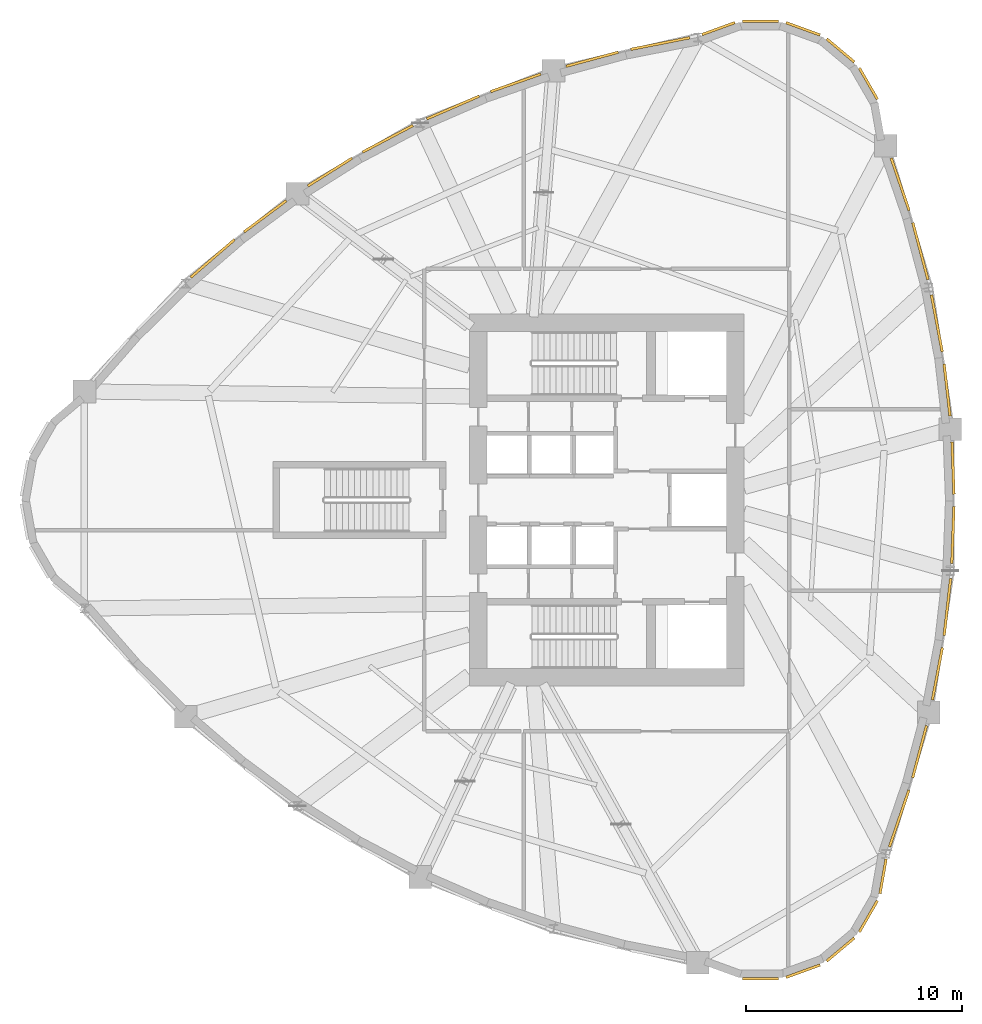
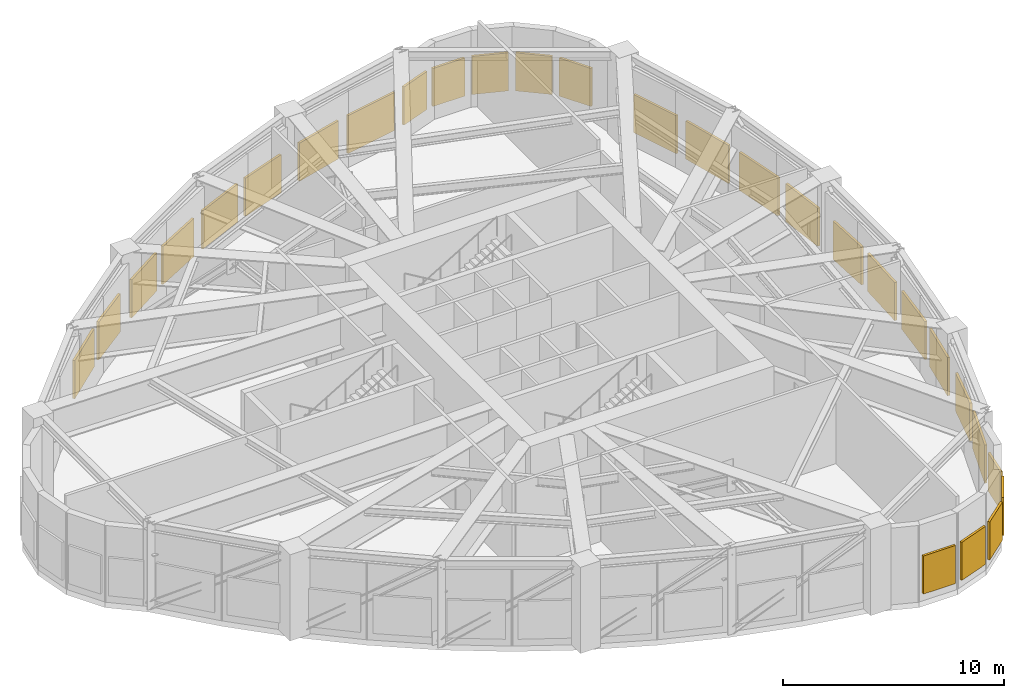
# One storey, part 9 of 9: 28 shading devices.
"""IFC4 building model written with IfcOpenShell, lengths in metres."""

import ifcopenshell
import ifcopenshell.guid

model = None  # the IFC model being written
_history = None  # IfcOwnerHistory: only IFC2X3 demands one
_inside = {}  # id of a spatial element -> (the spatial element, [elements in it])
_under = {}  # id of a project, library or spatial element -> (it, [spatial elements below it])
_declared = {}  # id of a project -> (the project, [libraries it declares])
_typed = {}  # id of a type object -> (the type object, [elements of that type])
_made_of = {}  # id of a material, layer set ... -> (it, [elements and type objects made of it])


def new_model(schema):
    """Start an empty IFC model of exactly this schema.

    Asked for "IFC4X3", IfcOpenShell would pick the latest addendum, in which some entities
    have other attributes; the version numbers below select the first issue.
    IFC2X3 requires an IfcOwnerHistory on every rooted entity: one is made here for all.
    """
    global model, _history
    if schema == "IFC4X3":
        model = ifcopenshell.file(schema_version=(4, 3, 0, 0))
    else:
        model = ifcopenshell.file(schema=schema)
    _inside.clear()
    _under.clear()
    _declared.clear()
    _typed.clear()
    _made_of.clear()
    _history = None
    if model.schema == "IFC2X3":
        org = make("IfcOrganization", Name="unknown")
        user = make(
            "IfcPersonAndOrganization",
            ThePerson=make("IfcPerson", FamilyName="unknown"),
            TheOrganization=org,
        )
        app = make(
            "IfcApplication",
            ApplicationDeveloper=org,
            Version="unknown",
            ApplicationFullName="unknown",
            ApplicationIdentifier="unknown",
        )
        _history = make(
            "IfcOwnerHistory",
            OwningUser=user,
            OwningApplication=app,
            ChangeAction="ADDED",
            CreationDate=0,
        )
    return model


def make(cls, **values):
    """One entity of the class cls with the attributes given. An attribute that is None is left unset."""
    return model.create_entity(
        cls, **{name: value for name, value in values.items() if value is not None}
    )


def rooted(cls, **values):
    """An entity with a GlobalId (a new one), such as an element, a storey or a relation."""
    return make(cls, GlobalId=ifcopenshell.guid.new(), OwnerHistory=_history, **values)


def si_unit(unit_type, name, prefix=None):
    """IfcSIUnit, for example si_unit("LENGTHUNIT", "METRE", prefix="MILLI")."""
    return make("IfcSIUnit", UnitType=unit_type, Prefix=prefix, Name=name)


def assignment(units):
    """IfcUnitAssignment: the units of a project."""
    return None if units is None else make("IfcUnitAssignment", Units=units)


def point(xyz):
    """IfcCartesianPoint."""
    return None if xyz is None else make("IfcCartesianPoint", Coordinates=xyz)


def direction(xyz):
    """IfcDirection."""
    return None if xyz is None else make("IfcDirection", DirectionRatios=xyz)


def frame(location, z_axis=None, x_axis=None):
    """IfcAxis2Placement3D, a coordinate frame: its origin and axes. An axis left out is left unset."""
    return make(
        "IfcAxis2Placement3D",
        Location=point(location),
        Axis=direction(z_axis),
        RefDirection=direction(x_axis),
    )


def frame_2d(location, x_axis=None):
    """IfcAxis2Placement2D, a coordinate frame in the plane: its origin and x axis."""
    return make(
        "IfcAxis2Placement2D", Location=point(location), RefDirection=direction(x_axis)
    )


def origin():
    """The frame at (0, 0, 0) with its axes left unset."""
    return frame((0.0, 0.0, 0.0))


def origin_2d():
    """The frame at (0, 0) in the plane with its x axis left unset."""
    return frame_2d((0.0, 0.0))


def place(relative_to, where):
    """IfcLocalPlacement: puts the frame where relative to a parent placement (None: the world)."""
    return make(
        "IfcLocalPlacement", PlacementRelTo=relative_to, RelativePlacement=where
    )


def context(
    kind, dimensions, precision=None, world=None, true_north=None, identifier=None
):
    """IfcGeometricRepresentationContext, for example the 3D "Model" context."""
    return make(
        "IfcGeometricRepresentationContext",
        ContextIdentifier=identifier,
        ContextType=kind,
        CoordinateSpaceDimension=dimensions,
        Precision=precision,
        WorldCoordinateSystem=world,
        TrueNorth=true_north,
    )


def subcontext(parent, identifier, kind, view, scale=None):
    """IfcGeometricRepresentationSubContext, for example "Body" below "Model"."""
    return make(
        "IfcGeometricRepresentationSubContext",
        ContextIdentifier=identifier,
        ContextType=kind,
        ParentContext=parent,
        TargetScale=scale,
        TargetView=view,
    )


def project(units=None, contexts=None):
    """IfcProject with its units and contexts."""
    return rooted(
        "IfcProject",
        Name="project",
        RepresentationContexts=contexts,
        UnitsInContext=assignment(units),
    )


def spatial(cls, under=None, at=None, **own):
    """A site, building, storey or space (cls), placed at a placement, below another one or the project."""
    s = rooted(cls, ObjectPlacement=at, **own)
    if under is not None:
        _under.setdefault(under.id(), (under, []))[1].append(s)
    return s


def profile(cls, at=None, kind="AREA", **sizes):
    """A parametric profile (cls). Its sizes go by their IFC names, for example OverallWidth=200.0."""
    return make(cls, ProfileType=kind, Position=at, **sizes)


def rectangle(**sizes):
    """IfcRectangleProfileDef."""
    return profile("IfcRectangleProfileDef", **sizes)


def extrude(swept, where, along, depth):
    """IfcExtrudedAreaSolid: the profile swept, set in the frame where, extruded along a direction by depth."""
    return make(
        "IfcExtrudedAreaSolid",
        SweptArea=swept,
        Position=where,
        ExtrudedDirection=direction(along),
        Depth=depth,
    )


def shape(context_of_items, identifier, shape_type, items):
    """IfcShapeRepresentation: the items that make up one representation, for example the "Body"."""
    return make(
        "IfcShapeRepresentation",
        ContextOfItems=context_of_items,
        RepresentationIdentifier=identifier,
        RepresentationType=shape_type,
        Items=items,
    )


def source(mapping_origin, context_of_items, identifier, shape_type, items):
    """IfcRepresentationMap: a shape defined once, which mapped items show again and again."""
    return make(
        "IfcRepresentationMap",
        MappingOrigin=mapping_origin,
        MappedRepresentation=shape(context_of_items, identifier, shape_type, items),
    )


def transform(
    local_origin,
    x_axis=None,
    y_axis=None,
    z_axis=None,
    scale=None,
    scale2=None,
    scale3=None,
    uniform=True,
):
    """IfcCartesianTransformationOperator3D, or its non-uniform kind. x_axis, y_axis, z_axis: its Axis1, 2, 3."""
    if uniform:
        return make(
            "IfcCartesianTransformationOperator3D",
            Axis1=direction(x_axis),
            Axis2=direction(y_axis),
            LocalOrigin=point(local_origin),
            Scale=scale,
            Axis3=direction(z_axis),
        )
    return make(
        "IfcCartesianTransformationOperator3DnonUniform",
        Axis1=direction(x_axis),
        Axis2=direction(y_axis),
        LocalOrigin=point(local_origin),
        Scale=scale,
        Axis3=direction(z_axis),
        Scale2=scale2,
        Scale3=scale3,
    )


def mapped(mapping_source, mapping_target):
    """IfcMappedItem: shows the shape of a source again, moved by a transform."""
    return make(
        "IfcMappedItem", MappingSource=mapping_source, MappingTarget=mapping_target
    )


def material(Name=None, Category=None):
    """IfcMaterial."""
    return make("IfcMaterial", Name=Name, Category=Category)


def layer(
    of_material, thickness, ventilated=None, Name=None, Category=None, Priority=None
):
    """IfcMaterialLayer: one layer of a wall or slab, of a material (None: an air gap)."""
    return make(
        "IfcMaterialLayer",
        Material=of_material,
        LayerThickness=thickness,
        IsVentilated=ventilated,
        Name=Name,
        Category=Category,
        Priority=Priority,
    )


def layer_set(layers, Name=None):
    """IfcMaterialLayerSet."""
    return make("IfcMaterialLayerSet", MaterialLayers=layers, LayerSetName=Name)


def made_of(thing, what):
    """Note that an element or type object is made of a material, layer set ...; save() writes the relation."""
    if what is not None:
        _made_of.setdefault(what.id(), (what, []))[1].append(thing)
    return thing


def type_object(cls, material=None, **own):
    """A type object (cls), such as IfcWallType, which elements share."""
    return made_of(rooted(cls, **own), material)


def element(
    cls,
    number,
    at=None,
    inside=None,
    cuts=None,
    type_object=None,
    material=None,
    context=None,
    identifier="Body",
    shape_type=None,
    held_by="IfcProductDefinitionShape",
    body=None,
    shapes=None,
    **own,
):
    """One element of the class cls, such as IfcWall. Its Tag is "e" and its number.

    at: its placement. inside: the storey or other place that contains it. cuts: it is an
    opening in that element (IfcRelVoidsElement). A single representation is given by context,
    identifier, shape_type and body (its items); several are given by shapes. held_by: the class
    of the entity that holds the representations. save() writes the other relations.
    """
    e = rooted(cls, Tag="e%d" % number, ObjectPlacement=at, **own)
    if body is not None:
        shapes = [shape(context, identifier, shape_type, body)]
    if shapes is not None:
        e.Representation = make(held_by, Representations=shapes)
    if inside is not None:
        _inside.setdefault(inside.id(), (inside, []))[1].append(e)
    if cuts is not None:
        rooted(
            "IfcRelVoidsElement", RelatingBuildingElement=cuts, RelatedOpeningElement=e
        )
    if type_object is not None:
        _typed.setdefault(type_object.id(), (type_object, []))[1].append(e)
    return made_of(e, material)


def aggregate(whole, parts):
    """IfcRelAggregates: a whole, such as a stair, and the parts it consists of."""
    return rooted("IfcRelAggregates", RelatingObject=whole, RelatedObjects=parts)


def save(model, path):
    """Write the relations noted so far, then the file.

    IfcRelAggregates (storeys below a building ...), IfcRelContainedInSpatialStructure (elements
    in a storey), IfcRelDefinesByType, IfcRelAssociatesMaterial and IfcRelDeclares: one each for
    every whole, place, type object, material and project.
    """
    for whole, parts in _under.values():
        aggregate(whole, parts)
    for where, things in _inside.values():
        rooted(
            "IfcRelContainedInSpatialStructure",
            RelatedElements=things,
            RelatingStructure=where,
        )
    for kind, things in _typed.values():
        rooted("IfcRelDefinesByType", RelatedObjects=things, RelatingType=kind)
    for what, things in _made_of.values():
        rooted("IfcRelAssociatesMaterial", RelatedObjects=things, RelatingMaterial=what)
    for by, libraries in _declared.values():
        rooted("IfcRelDeclares", RelatingContext=by, RelatedDefinitions=libraries)
    model.write(path)


model = new_model("IFC4")

# Units and contexts
model_context = context("Model", 3, precision=1e-05, world=origin(), true_north=direction((0.0, 1.0)))
body_context = subcontext(model_context, "Body", "Model", "MODEL_VIEW")
ifc_project = project(units=[si_unit("LENGTHUNIT", "METRE"), si_unit("AREAUNIT", "SQUARE_METRE"), si_unit("VOLUMEUNIT", "CUBIC_METRE"), si_unit("PLANEANGLEUNIT", "RADIAN"), si_unit("MASSUNIT", "GRAM", prefix="KILO")], contexts=[model_context])

# Site, building, storey
site_placement = place(None, origin())
site = spatial("IfcSite", under=ifc_project, at=site_placement, CompositionType="ELEMENT")
building_placement = place(site_placement, origin())
building = spatial("IfcBuilding", under=site, at=building_placement, Name="Qafzar Sky-Pleat Residences", CompositionType="ELEMENT")
storey_placement = place(building_placement, frame((0.0, 0.0, 65.39990234375)))
storey = spatial("IfcBuildingStorey", under=building, at=storey_placement, Name="L19", CompositionType="ELEMENT", Elevation=65.39990234375)

# Shading devices
ifc_material = material(Name="Anodised bronze aluminium acoustic louvre", Category="aluminium")
ifc_layer = layer(ifc_material, 0.1201171875)
ifc_layer_set = layer_set([ifc_layer], Name="Anodised bronze aluminium acoustic louvre")
shading_device_type = type_object("IfcShadingDeviceType", Name="SHD-LOUVRE-PLANT", PredefinedType="JALOUSIE", material=ifc_layer_set)
shared_shape_1 = source(origin(), body_context, "Body", "SweptSolid", [
    extrude(rectangle(XDim=1.67236328125, YDim=0.1201171875, at=origin_2d()), origin(), (0.0, 0.0, 1.0), 2.10009765625),
])
for number, where, z_axis, x_axis, name in (
    (1, (37.46240234375, 3.843505859375, 0.449951171875), (0.0, 0.0, 1.0), (1.0, 0.0, 0.0), "L19 Plant Acoustic Louvre 18"),
    (2, (41.16943359375, 5.19287109375, 0.449951171875), (0.0, 0.0, 1.0), (0.76603272153, 0.642801578674, 0.0), "L19 Plant Acoustic Louvre 20"),
    (3, (42.456787109375, 6.72705078125, 0.449951171875), (0.0, 0.0, 1.0), (0.499972303345, 0.866041393865, 0.0), "L19 Plant Acoustic Louvre 21"),
    (4, (42.456787109375, 45.27294921875, 0.449951171875), (0.0, 0.0, 1.0), (-0.499972303345, 0.866041393865, 0.0), "L19 Plant Acoustic Louvre 34"),
    (5, (41.16943359375, 46.80712890625, 0.449951171875), (0.0, 0.0, 1.0), (-0.76603272153, 0.642801578674, 0.0), "L19 Plant Acoustic Louvre 35"),
    (6, (37.46240234375, 48.156494140625, 0.449951171875), (0.0, 0.0, 1.0), (-1.0, 0.0, 0.0), "L19 Plant Acoustic Louvre 37"),
):
    element("IfcShadingDevice", number, at=place(storey_placement, frame(where, z_axis=z_axis, x_axis=x_axis)), inside=storey, type_object=shading_device_type, Name=name, PredefinedType="JALOUSIE", context=body_context, shape_type="MappedRepresentation", body=[
        mapped(shared_shape_1, transform((0.0, 0.0, 0.0), x_axis=(1.0, 0.0, 0.0), y_axis=(0.0, 1.0, 0.0), z_axis=(0.0, 0.0, 1.0), scale=1.0)),
    ])
shared_shape_2 = source(origin(), body_context, "Body", "SweptSolid", [
    extrude(rectangle(XDim=1.672119140625, YDim=0.1201171875, at=origin_2d()), origin(), (0.0, 0.0, 1.0), 2.10009765625),
])
for number, where, z_axis, x_axis, name in (
    (7, (39.434814453125, 4.19140625, 0.449951171875), (0.0, 0.0, 1.0), (0.939715179222, 0.34195815817, 0.0), "L19 Plant Acoustic Louvre 19"),
    (8, (39.434814453125, 47.80859375, 0.449951171875), (0.0, 0.0, 1.0), (-0.939715179222, 0.34195815817, 0.0), "L19 Plant Acoustic Louvre 36"),
):
    element("IfcShadingDevice", number, at=place(storey_placement, frame(where, z_axis=z_axis, x_axis=x_axis)), inside=storey, type_object=shading_device_type, Name=name, PredefinedType="JALOUSIE", context=body_context, shape_type="MappedRepresentation", body=[
        mapped(shared_shape_2, transform((0.0, 0.0, 0.0), x_axis=(1.0, 0.0, 0.0), y_axis=(0.0, 1.0, 0.0), z_axis=(0.0, 0.0, 1.0), scale=1.0)),
    ])
shared_shape_3 = source(origin(), body_context, "Body", "SweptSolid", [
    extrude(rectangle(XDim=1.625732421875, YDim=0.1201171875, at=origin_2d()), origin(), (0.0, 0.0, 1.0), 2.10009765625),
])
for number, where, z_axis, x_axis, name in (
    (9, (43.13671875, 8.58056640625, 0.449951171875), (0.0, 0.0, 1.0), (0.17364778674, 0.984807821943, 0.0), "L19 Plant Acoustic Louvre 22"),
    (10, (35.517333984375, 47.818603515625, 0.449951171875), (0.0, 0.0, 1.0), (-0.939710070919, -0.341972195674, 0.0), "L19 Plant Acoustic Louvre 38"),
):
    element("IfcShadingDevice", number, at=place(storey_placement, frame(where, z_axis=z_axis, x_axis=x_axis)), inside=storey, type_object=shading_device_type, Name=name, PredefinedType="JALOUSIE", context=body_context, shape_type="MappedRepresentation", body=[
        mapped(shared_shape_3, transform((0.0, 0.0, 0.0), x_axis=(1.0, 0.0, 0.0), y_axis=(0.0, 1.0, 0.0), z_axis=(0.0, 0.0, 1.0), scale=1.0)),
    ])
shared_shape_4 = source(origin(), body_context, "Body", "SweptSolid", [
    extrude(rectangle(XDim=2.785888671875, YDim=0.1201171875, at=origin_2d()), origin(), (0.0, 0.0, 1.0), 2.10009765625),
])
for number, where, z_axis, x_axis, name in (
    (11, (43.884521484375, 11.259033203125, 0.449951171875), (0.0, 0.0, 1.0), (0.323584167423, 0.946199390506, 0.0), "L19 Plant Acoustic Louvre 23"),
    (12, (32.82373046875, 47.126708984375, 0.449951171875), (0.0, 0.0, 1.0), (-0.981231261783, -0.192834672453, 0.0), "L19 Plant Acoustic Louvre 39"),
):
    element("IfcShadingDevice", number, at=place(storey_placement, frame(where, z_axis=z_axis, x_axis=x_axis)), inside=storey, type_object=shading_device_type, Name=name, PredefinedType="JALOUSIE", context=body_context, shape_type="MappedRepresentation", body=[
        mapped(shared_shape_4, transform((0.0, 0.0, 0.0), x_axis=(1.0, 0.0, 0.0), y_axis=(0.0, 1.0, 0.0), z_axis=(0.0, 0.0, 1.0), scale=1.0)),
    ])
shared_shape_5 = source(origin(), body_context, "Body", "SweptSolid", [
    extrude(rectangle(XDim=2.50390625, YDim=0.1201171875, at=origin_2d()), origin(), (0.0, 0.0, 1.0), 2.10009765625),
])
for number, where, z_axis, x_axis, name in (
    (13, (44.8291015625, 14.349853515625, 0.449951171875), (0.0, 0.0, 1.0), (0.257099840071, 0.966384846857, 0.0), "L19 Plant Acoustic Louvre 24"),
    (14, (29.6748046875, 46.399658203125, 0.449951171875), (0.0, 0.0, 1.0), (-0.965452073914, -0.260580684195, 0.0), "L19 Plant Acoustic Louvre 40"),
):
    element("IfcShadingDevice", number, at=place(storey_placement, frame(where, z_axis=z_axis, x_axis=x_axis)), inside=storey, type_object=shading_device_type, Name=name, PredefinedType="JALOUSIE", context=body_context, shape_type="MappedRepresentation", body=[
        mapped(shared_shape_5, transform((0.0, 0.0, 0.0), x_axis=(1.0, 0.0, 0.0), y_axis=(0.0, 1.0, 0.0), z_axis=(0.0, 0.0, 1.0), scale=1.0)),
    ])
shared_shape_6 = source(origin(), body_context, "Body", "SweptSolid", [
    extrude(rectangle(XDim=2.459716796875, YDim=0.1201171875, at=origin_2d()), origin(), (0.0, 0.0, 1.0), 2.10009765625),
])
for number, where, z_axis, x_axis, name in (
    (15, (45.652587890625, 17.9609375, 0.449951171875), (0.0, 0.0, 1.0), (0.186662215428, 0.982424153475, 0.0), "L19 Plant Acoustic Louvre 25"),
    (16, (26.1357421875, 45.306884765625, 0.449951171875), (0.0, 0.0, 1.0), (-0.94413641314, -0.329554901925, 0.0), "L19 Plant Acoustic Louvre 41"),
):
    element("IfcShadingDevice", number, at=place(storey_placement, frame(where, z_axis=z_axis, x_axis=x_axis)), inside=storey, type_object=shading_device_type, Name=name, PredefinedType="JALOUSIE", context=body_context, shape_type="MappedRepresentation", body=[
        mapped(shared_shape_6, transform((0.0, 0.0, 0.0), x_axis=(1.0, 0.0, 0.0), y_axis=(0.0, 1.0, 0.0), z_axis=(0.0, 0.0, 1.0), scale=1.0)),
    ])
shared_shape_7 = source(origin(), body_context, "Body", "SweptSolid", [
    extrude(rectangle(XDim=2.65380859375, YDim=0.1201171875, at=origin_2d()), origin(), (0.0, 0.0, 1.0), 2.10009765625),
])
for number, where, z_axis, x_axis, name in (
    (17, (46.116455078125, 21.048095703125, 0.449951171875), (0.0, 0.0, 1.0), (0.113289821486, 0.99356198415, 0.0), "L19 Plant Acoustic Louvre 26"),
    (18, (23.230224609375, 44.165283203125, 0.449951171875), (0.0, 0.0, 1.0), (-0.917086830124, -0.398687529292, 0.0), "L19 Plant Acoustic Louvre 42"),
):
    element("IfcShadingDevice", number, at=place(storey_placement, frame(where, z_axis=z_axis, x_axis=x_axis)), inside=storey, type_object=shading_device_type, Name=name, PredefinedType="JALOUSIE", context=body_context, shape_type="MappedRepresentation", body=[
        mapped(shared_shape_7, transform((0.0, 0.0, 0.0), x_axis=(1.0, 0.0, 0.0), y_axis=(0.0, 1.0, 0.0), z_axis=(0.0, 0.0, 1.0), scale=1.0)),
    ])
shared_shape_8 = source(origin(), body_context, "Body", "SweptSolid", [
    extrude(rectangle(XDim=2.638671875, YDim=0.1201171875, at=origin_2d()), origin(), (0.0, 0.0, 1.0), 2.10009765625),
])
for number, where, z_axis, x_axis, name in (
    (19, (46.370361328125, 24.387939453125, 0.449951171875), (0.0, 0.0, 1.0), (0.037959212057, 0.999279289398, 0.0), "L19 Plant Acoustic Louvre 27"),
    (20, (20.2109375, 42.715087890625, 0.449951171875), (0.0, 0.0, 1.0), (-0.884388229284, -0.466752032566, 0.0), "L19 Plant Acoustic Louvre 43"),
):
    element("IfcShadingDevice", number, at=place(storey_placement, frame(where, z_axis=z_axis, x_axis=x_axis)), inside=storey, type_object=shading_device_type, Name=name, PredefinedType="JALOUSIE", context=body_context, shape_type="MappedRepresentation", body=[
        mapped(shared_shape_8, transform((0.0, 0.0, 0.0), x_axis=(1.0, 0.0, 0.0), y_axis=(0.0, 1.0, 0.0), z_axis=(0.0, 0.0, 1.0), scale=1.0)),
    ])
shared_shape_9 = source(origin(), body_context, "Body", "SweptSolid", [
    extrude(rectangle(XDim=2.4296875, YDim=0.1201171875, at=origin_2d()), origin(), (0.0, 0.0, 1.0), 2.10009765625),
])
for number, where, z_axis, x_axis, name in (
    (21, (46.1005859375, 31.091064453125, 0.449951171875), (0.0, 0.0, 1.0), (-0.113264290782, 0.993564894928, 0.0), "L19 Plant Acoustic Louvre 29"),
    (22, (14.540771484375, 39.130126953125, 0.449951171875), (0.0, 0.0, 1.0), (-0.803804427997, -0.594893638839, 0.0), "L19 Plant Acoustic Louvre 45"),
):
    element("IfcShadingDevice", number, at=place(storey_placement, frame(where, z_axis=z_axis, x_axis=x_axis)), inside=storey, type_object=shading_device_type, Name=name, PredefinedType="JALOUSIE", context=body_context, shape_type="MappedRepresentation", body=[
        mapped(shared_shape_9, transform((0.0, 0.0, 0.0), x_axis=(1.0, 0.0, 0.0), y_axis=(0.0, 1.0, 0.0), z_axis=(0.0, 0.0, 1.0), scale=1.0)),
    ])
shared_shape_10 = source(origin(), body_context, "Body", "SweptSolid", [
    extrude(rectangle(XDim=2.68359375, YDim=0.1201171875, at=origin_2d()), origin(), (0.0, 0.0, 1.0), 2.10009765625),
])
for number, where, z_axis, x_axis, name in (
    (23, (45.62646484375, 34.176513671875, 0.449951171875), (0.0, 0.0, 1.0), (-0.186671003552, 0.982422483676, 0.0), "L19 Plant Acoustic Louvre 30"),
    (24, (12.105712890625, 37.176513671875, 0.449951171875), (0.0, 0.0, 1.0), (-0.757486211269, -0.65285116201, 0.0), "L19 Plant Acoustic Louvre 46"),
):
    element("IfcShadingDevice", number, at=place(storey_placement, frame(where, z_axis=z_axis, x_axis=x_axis)), inside=storey, type_object=shading_device_type, Name=name, PredefinedType="JALOUSIE", context=body_context, shape_type="MappedRepresentation", body=[
        mapped(shared_shape_10, transform((0.0, 0.0, 0.0), x_axis=(1.0, 0.0, 0.0), y_axis=(0.0, 1.0, 0.0), z_axis=(0.0, 0.0, 1.0), scale=1.0)),
    ])
shared_shape_11 = source(origin(), body_context, "Body", "SweptSolid", [
    extrude(rectangle(XDim=2.727783203125, YDim=0.1201171875, at=origin_2d()), origin(), (0.0, 0.0, 1.0), 2.10009765625),
])
shading_device_1_placement = place(storey_placement, frame((44.865234375, 37.514892578125, 0.449951171875), z_axis=(0.0, 0.0, 1.0), x_axis=(-0.257074858868, 0.966391492584, 0.0)))
element("IfcShadingDevice", 25, at=shading_device_1_placement, inside=storey, type_object=shading_device_type, Name="L19 Plant Acoustic Louvre 31", PredefinedType="JALOUSIE", context=body_context, shape_type="MappedRepresentation", body=[
    mapped(shared_shape_11, transform((0.0, 0.0, 0.0), x_axis=(1.0, 0.0, 0.0), y_axis=(0.0, 1.0, 0.0), z_axis=(0.0, 0.0, 1.0), scale=1.0)),
])
shared_shape_12 = source(origin(), body_context, "Body", "SweptSolid", [
    extrude(rectangle(XDim=2.41455078125, YDim=0.1201171875, at=origin_2d()), origin(), (0.0, 0.0, 1.0), 2.10009765625),
])
for number, where, z_axis, x_axis, name in (
    (26, (46.37548828125, 27.47216796875, 0.449951171875), (0.0, 0.0, 1.0), (-0.037968689793, 0.999278929326, 0.0), "L19 Plant Acoustic Louvre 28"),
    (27, (17.537353515625, 41.177490234375, 0.449951171875), (0.0, 0.0, 1.0), (-0.846414266524, -0.532525012956, 0.0), "L19 Plant Acoustic Louvre 44"),
):
    element("IfcShadingDevice", number, at=place(storey_placement, frame(where, z_axis=z_axis, x_axis=x_axis)), inside=storey, type_object=shading_device_type, Name=name, PredefinedType="JALOUSIE", context=body_context, shape_type="MappedRepresentation", body=[
        mapped(shared_shape_12, transform((0.0, 0.0, 0.0), x_axis=(1.0, 0.0, 0.0), y_axis=(0.0, 1.0, 0.0), z_axis=(0.0, 0.0, 1.0), scale=1.0)),
    ])
shared_shape_13 = source(origin(), body_context, "Body", "SweptSolid", [
    extrude(rectangle(XDim=2.561767578125, YDim=0.1201171875, at=origin_2d()), origin(), (0.0, 0.0, 1.0), 2.10009765625),
])
shading_device_2_placement = place(storey_placement, frame((43.9296875, 40.6083984375, 0.449951171875), z_axis=(0.0, 0.0, 1.0), x_axis=(-0.323581738946, 0.946200221, 0.0)))
element("IfcShadingDevice", 28, at=shading_device_2_placement, inside=storey, type_object=shading_device_type, Name="L19 Plant Acoustic Louvre 32", PredefinedType="JALOUSIE", context=body_context, shape_type="MappedRepresentation", body=[
    mapped(shared_shape_13, transform((0.0, 0.0, 0.0), x_axis=(1.0, 0.0, 0.0), y_axis=(0.0, 1.0, 0.0), z_axis=(0.0, 0.0, 1.0), scale=1.0)),
])

save(model, "model.ifc")
